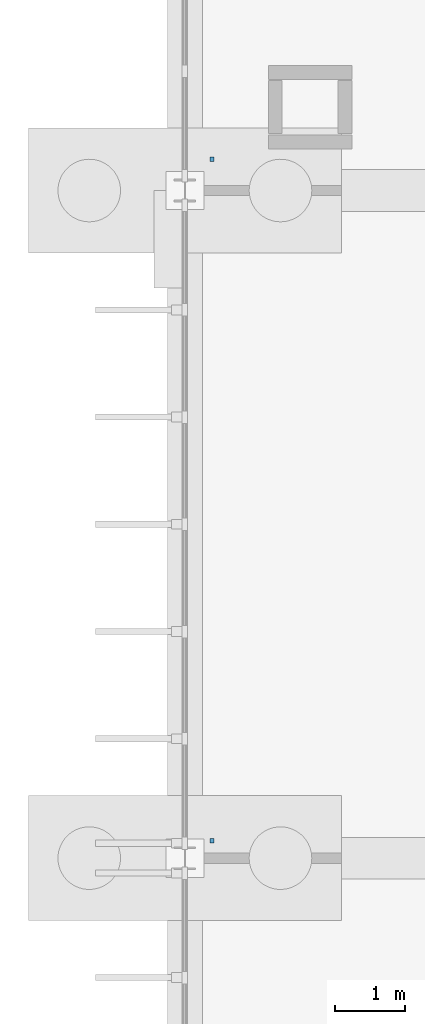
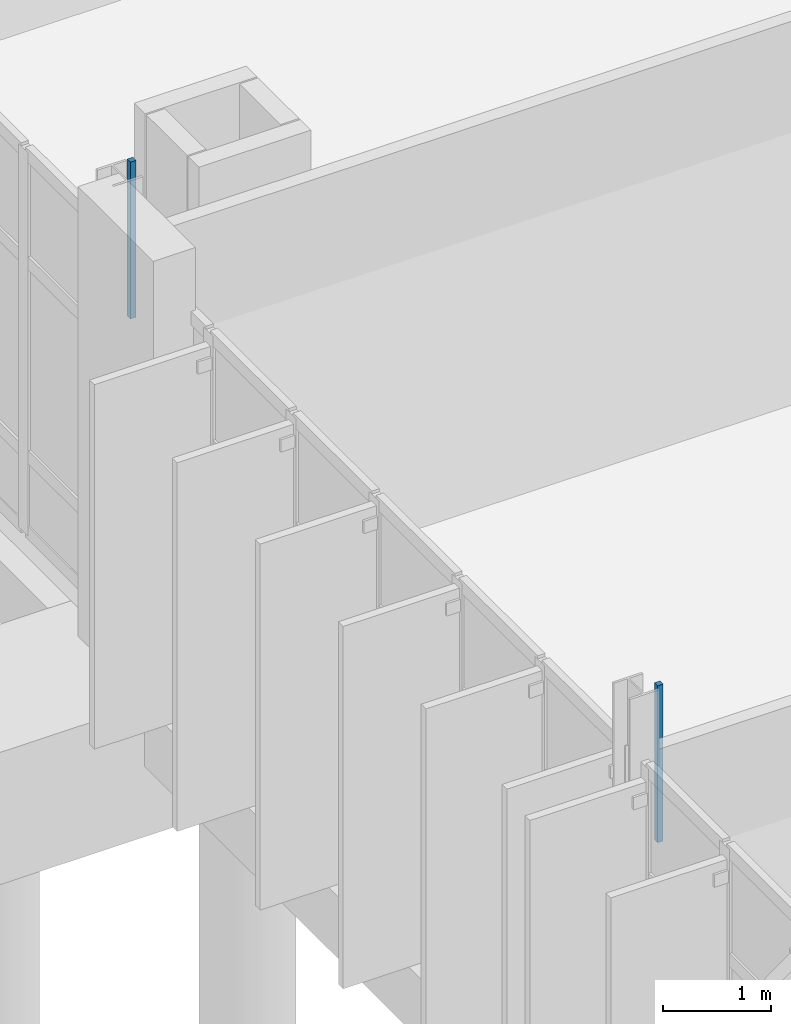
# One storey, part 85 of 111: 2 discrete accessories.
"""IFC4 building model written with IfcOpenShell, lengths in metres."""

from ifc_helpers import new_model, si_unit, direction, frame, origin, place, context, subcontext, project, spatial, polyline, outline, extrude, material, type_object, element, save


model = new_model("IFC4")

# Units and contexts
model_context = context("Model", 3, precision=1e-05, world=origin(), true_north=direction((0.0, 1.0)))
body_context = subcontext(model_context, "Body", "Model", "MODEL_VIEW")
ifc_project = project(units=[si_unit("LENGTHUNIT", "METRE"), si_unit("AREAUNIT", "SQUARE_METRE"), si_unit("VOLUMEUNIT", "CUBIC_METRE"), si_unit("PLANEANGLEUNIT", "RADIAN"), si_unit("MASSUNIT", "GRAM", prefix="KILO")], contexts=[model_context])

# Site, building, storey
site_placement = place(None, origin())
site = spatial("IfcSite", under=ifc_project, at=site_placement, CompositionType="ELEMENT")
building_placement = place(site_placement, origin())
building = spatial("IfcBuilding", under=site, at=building_placement, Name="Dunescarp Central Library", CompositionType="ELEMENT")
storey_placement = place(building_placement, origin())
storey = spatial("IfcBuildingStorey", under=building, at=storey_placement, Name="L00", CompositionType="ELEMENT", Elevation=0.0)

# Discrete accessories
ifc_material = material(Name="Stainless steel Grade 316L", Category="steel")
discrete_accessory_type = type_object("IfcDiscreteAccessoryType", Name="ARC-ACC-BRK", PredefinedType="BRACKET", material=ifc_material)
discrete_accessory_1_placement = place(storey_placement, frame((0.0, 0.0, 3.06005859375)))
element("IfcDiscreteAccessory", 1, at=discrete_accessory_1_placement, inside=storey, type_object=discrete_accessory_type, Name="L00 ceiling hanger CLG-L00-122-H1", PredefinedType="BRACKET", context=body_context, shape_type="SweptSolid", body=[
    extrude(outline(polyline([(0.360107421875, 80.219970703125), (0.419921875, 80.219970703125), (0.419921875, 80.280029296875), (0.360107421875, 80.280029296875), (0.360107421875, 80.219970703125)])), origin(), (0.0, 0.0, 1.0), 1.780029296875),
])
discrete_accessory_2_placement = place(storey_placement, frame((0.0, 0.0, 3.06005859375)))
element("IfcDiscreteAccessory", 2, at=discrete_accessory_2_placement, inside=storey, type_object=discrete_accessory_type, Name="L00 ceiling hanger CLG-L00-123-H1", PredefinedType="BRACKET", context=body_context, shape_type="SweptSolid", body=[
    extrude(outline(polyline([(0.360107421875, 90.02001953125), (0.419921875, 90.02001953125), (0.419921875, 90.080078125), (0.360107421875, 90.080078125), (0.360107421875, 90.02001953125)])), origin(), (0.0, 0.0, 1.0), 1.780029296875),
])

save(model, "model.ifc")
